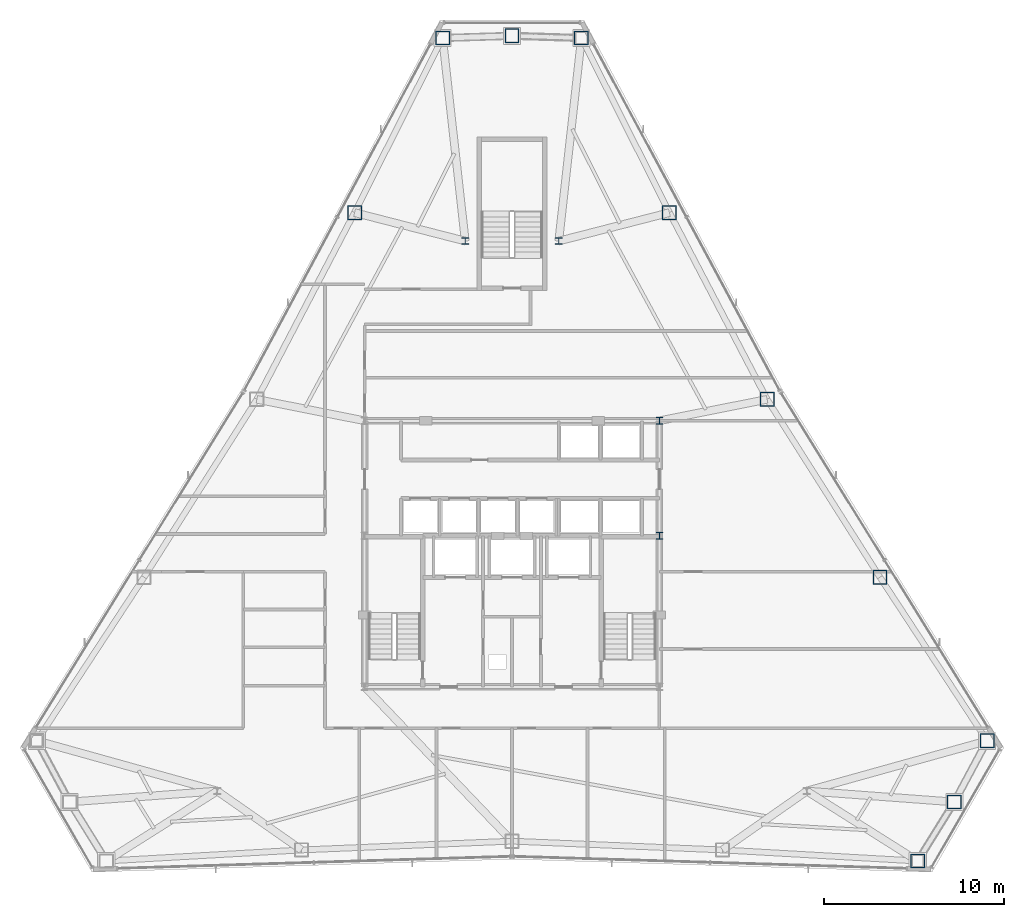
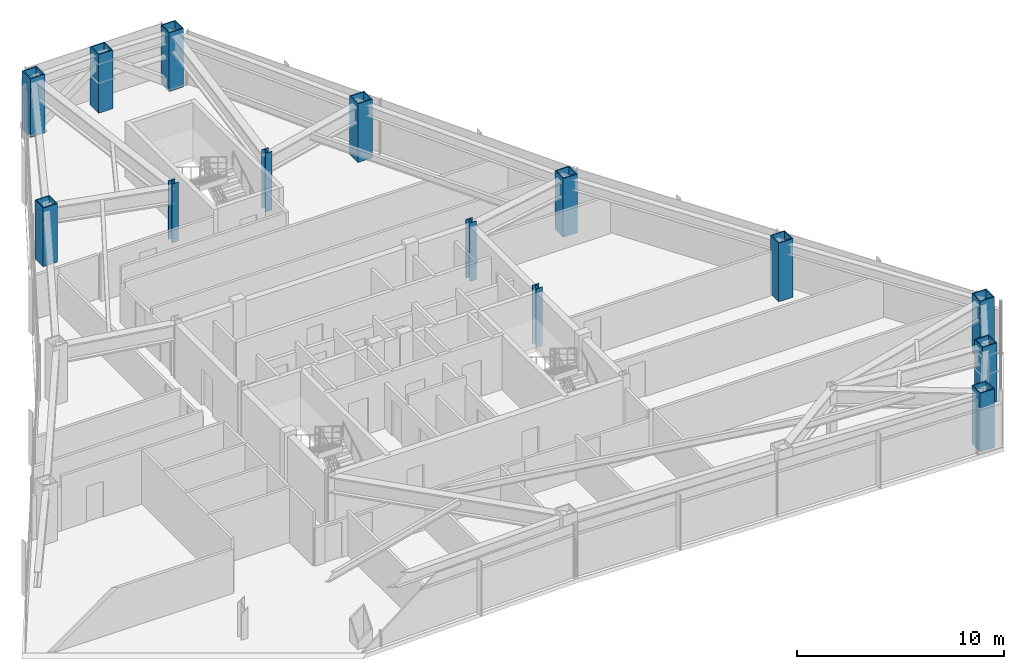
# One storey, part 2 of 13: 14 columns.
"""IFC4 building model written with IfcOpenShell, lengths in metres."""

from ifc_helpers import new_model, si_unit, direction, frame, origin, origin_2d, place, context, subcontext, project, spatial, hollow_rectangle, i_section, extrude, material, material_profile, profile_set, type_object, element, save


model = new_model("IFC4")

# Units and contexts
model_context = context("Model", 3, precision=1e-05, world=origin(), true_north=direction((0.0, 1.0)))
body_context = subcontext(model_context, "Body", "Model", "MODEL_VIEW")
ifc_project = project(units=[si_unit("LENGTHUNIT", "METRE"), si_unit("AREAUNIT", "SQUARE_METRE"), si_unit("VOLUMEUNIT", "CUBIC_METRE"), si_unit("PLANEANGLEUNIT", "RADIAN"), si_unit("MASSUNIT", "GRAM", prefix="KILO")], contexts=[model_context])

# Site, building, storey
site_placement = place(None, origin())
site = spatial("IfcSite", under=ifc_project, at=site_placement, CompositionType="ELEMENT")
building_placement = place(site_placement, origin())
building = spatial("IfcBuilding", under=site, at=building_placement, Name="Varakhsha Concourse Tower", CompositionType="ELEMENT")
storey_placement = place(building_placement, frame((0.0, 0.0, 168.89990234375)))
storey = spatial("IfcBuildingStorey", under=building, at=storey_placement, Name="L48", CompositionType="ELEMENT", Elevation=168.89990234375)

# Columns
ifc_material_1 = material(Name="Structural Steel ASTM A992 Grade 50", Category="steel")
ifc_material_profile_1 = material_profile(ifc_material_1, i_section(OverallWidth=0.3740234375, OverallDepth=0.3720703125, WebThickness=0.01611328125, FlangeThickness=0.02587890625, at=origin_2d()), Name="W14X132")
ifc_profile_set_1 = profile_set([ifc_material_profile_1], Name="Structural Steel ASTM A992 Grade 50")
column_type_1 = type_object("IfcColumnType", Name="CL-CORE-W14X132", PredefinedType="COLUMN", material=ifc_profile_set_1)
for number, where, z_axis, x_axis, name in (
    (1, (48.199951171875, 24.800048828125, 0.0), (0.0, 0.0, 1.0), (1.0, 0.0, 0.0), "L48 Core Column CC-ME"),
    (2, (48.199951171875, 31.199951171875, 0.0), (0.0, 0.0, 1.0), (1.0, 0.0, 0.0), "L48 Core Column CC-NE"),
    (3, (37.39990234375, 41.199951171875, 0.0), (0.0, 0.0, 1.0), (1.0, 0.0, 0.0), "L48 Core Column NS-W"),
    (4, (42.60009765625, 41.199951171875, 0.0), (0.0, 0.0, 1.0), (1.0, 0.0, 0.0), "L48 Core Column NS-E"),
):
    element("IfcColumn", number, at=place(storey_placement, frame(where, z_axis=z_axis, x_axis=x_axis)), inside=storey, type_object=column_type_1, Name=name, PredefinedType="COLUMN", context=body_context, shape_type="SweptSolid", body=[
        extrude(i_section(OverallWidth=0.3740234375, OverallDepth=0.3720703125, WebThickness=0.01611328125, FlangeThickness=0.02587890625, at=origin_2d()), origin(), (0.0, 0.0, 1.0), 3.4501953125),
    ])
ifc_material_2 = material(Name="Structural Steel ASTM A572 Grade 50", Category="steel")
ifc_material_profile_2 = material_profile(ifc_material_2, hollow_rectangle(XDim=0.800048828125, YDim=0.800048828125, WallThickness=0.054931640625, at=origin_2d()), Name="BOX 800x800x55")
ifc_profile_set_2 = profile_set([ifc_material_profile_2], Name="Structural Steel ASTM A572 Grade 50")
column_type_2 = type_object("IfcColumnType", Name="CL-TUBE-800", PredefinedType="COLUMN", material=ifc_profile_set_2)
for number, where, z_axis, x_axis, name in (
    (5, (43.863037109375, 52.495849609375, 0.0), (0.0, 0.0, 1.0), (1.0, 0.0, 0.0), "L48 Framed-Tube Column TC01"),
    (6, (40.0, 52.618408203125, 0.0), (0.0, 0.0, 1.0), (1.0, 0.0, 0.0), "L48 Framed-Tube Column TC02"),
    (7, (36.136962890625, 52.495849609375, 0.0), (0.0, 0.0, 1.0), (1.0, 0.0, 0.0), "L48 Framed-Tube Column TC03"),
    (8, (31.240966796875, 42.78271484375, 0.0), (0.0, 0.0, 1.0), (1.0, 0.0, 0.0), "L48 Framed-Tube Column TC04"),
    (9, (62.5732421875, 6.70654296875, 0.0), (0.0, 0.0, 1.0), (1.0, 0.0, 0.0), "L48 Framed-Tube Column TC13"),
    (10, (64.611083984375, 9.99072265625, 0.0), (0.0, 0.0, 1.0), (1.0, 0.0, 0.0), "L48 Framed-Tube Column TC14"),
    (11, (66.436279296875, 13.397705078125, 0.0), (0.0, 0.0, 1.0), (1.0, 0.0, 0.0), "L48 Framed-Tube Column TC15"),
    (12, (60.47265625, 22.494384765625, 0.0), (0.0, 0.0, 1.0), (1.0, 0.0, 0.0), "L48 Framed-Tube Column TC16"),
    (13, (54.192138671875, 32.393798828125, 0.0), (0.0, 0.0, 1.0), (1.0, 0.0, 0.0), "L48 Framed-Tube Column TC17"),
    (14, (48.759033203125, 42.78271484375, 0.0), (0.0, 0.0, 1.0), (1.0, 0.0, 0.0), "L48 Framed-Tube Column TC18"),
):
    element("IfcColumn", number, at=place(storey_placement, frame(where, z_axis=z_axis, x_axis=x_axis)), inside=storey, type_object=column_type_2, Name=name, PredefinedType="COLUMN", context=body_context, shape_type="SweptSolid", body=[
        extrude(hollow_rectangle(XDim=0.800048828125, YDim=0.800048828125, WallThickness=0.054931640625, at=origin_2d()), origin(), (0.0, 0.0, 1.0), 3.4501953125),
    ])

save(model, "model.ifc")
